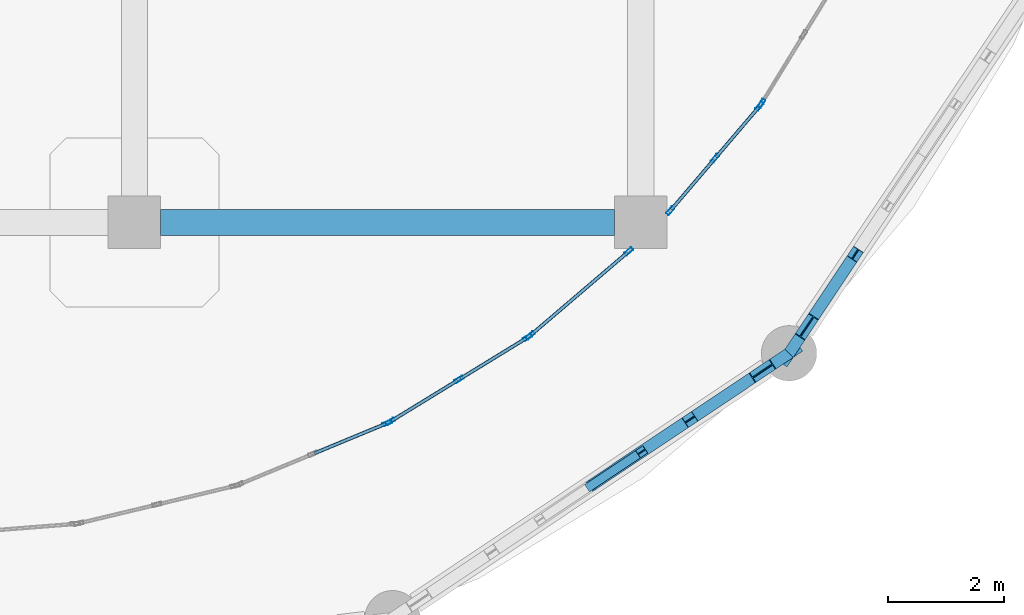
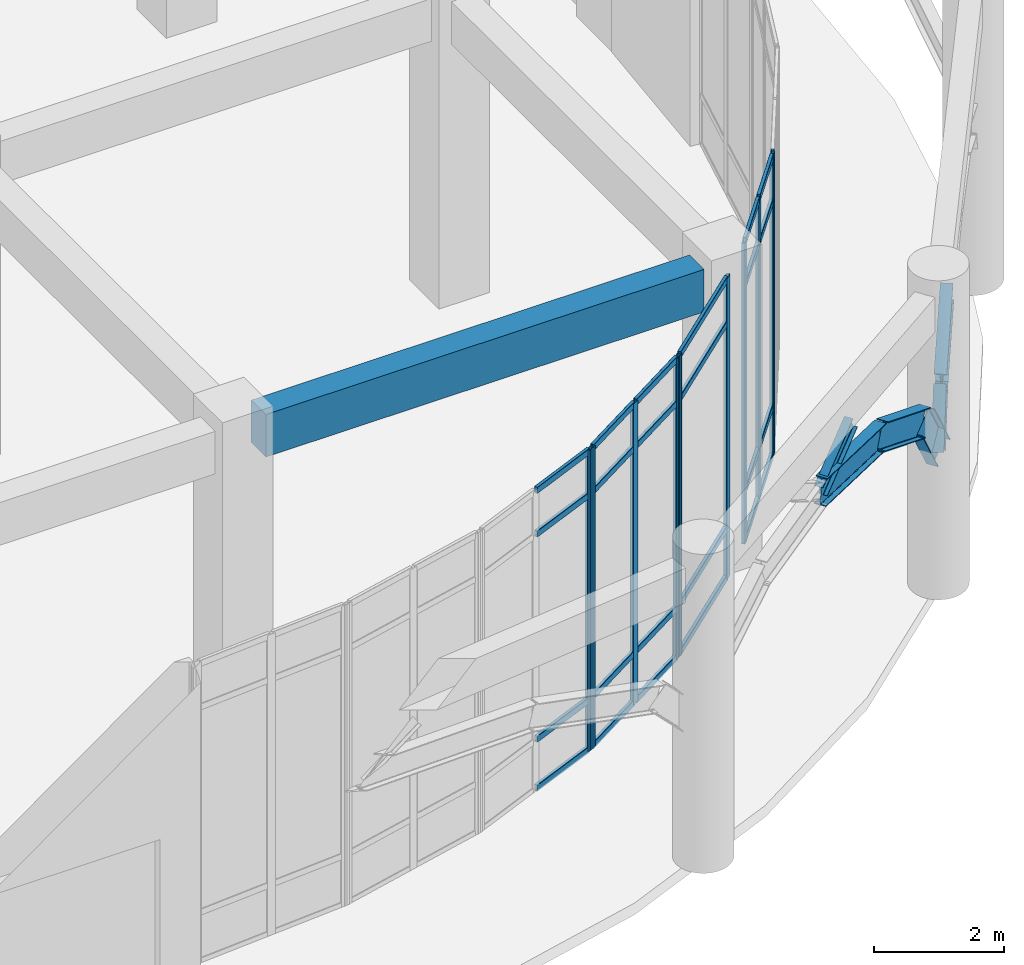
# One storey, part 29 of 82: 35 members, 6 beams, 5 elements without a shape of their own.
"""IFC4 building model written with IfcOpenShell, lengths in metres."""

from ifc_helpers import new_model, si_unit, derived_unit, direction, frame, origin, origin_2d, place, context, subcontext, project, spatial, rectangle, hollow_rectangle, i_section, extrude, material, layer, layer_set, material_profile, profile_set, type_object, element, aggregate, save


model = new_model("IFC4")

# Units and contexts
model_context = context("Model", 3, precision=1e-05, world=origin(), true_north=direction((0.0, 1.0)))
body_context = subcontext(model_context, "Body", "Model", "MODEL_VIEW")
ifc_project = project(units=[si_unit("LENGTHUNIT", "METRE"), si_unit("AREAUNIT", "SQUARE_METRE"), si_unit("VOLUMEUNIT", "CUBIC_METRE"), si_unit("PLANEANGLEUNIT", "RADIAN"), si_unit("MASSUNIT", "GRAM", prefix="KILO"), derived_unit("THERMALTRANSMITTANCEUNIT", [(si_unit("MASSUNIT", "GRAM", prefix="KILO"), 1), (si_unit("TIMEUNIT", "SECOND"), -3), (si_unit("THERMODYNAMICTEMPERATUREUNIT", "KELVIN"), -1)])], contexts=[model_context])

# Site, building, storey
site_placement = place(None, origin())
site = spatial("IfcSite", under=ifc_project, at=site_placement, CompositionType="ELEMENT")
building_placement = place(site_placement, origin())
building = spatial("IfcBuilding", under=site, at=building_placement, Name="Qinzheling Arcade Emporium", CompositionType="ELEMENT")
storey_placement = place(building_placement, origin())
storey = spatial("IfcBuildingStorey", under=building, at=storey_placement, Name="L01", CompositionType="ELEMENT", Elevation=0.0)

# Beams
ifc_material_1 = material(Name="Weathering steel Q355NH", Category="steel")
ifc_material_profile_1 = material_profile(ifc_material_1, i_section(OverallWidth=0.199951171875, OverallDepth=0.5, WebThickness=0.010009765625, FlangeThickness=0.01611328125, FilletRadius=0.01806640625, at=origin_2d()), Name="HN 500x200x10x16", Category="steel")
ifc_profile_set_1 = profile_set([ifc_material_profile_1], Name="Weathering steel Q355NH")
beam_type_1 = type_object("IfcBeamType", Name="Arcade End Arch Rib HN500 Q355NH", PredefinedType="BEAM", material=ifc_profile_set_1)
beam_1_placement = place(storey_placement, frame((164.44189453125, 3.875, 4.284912109375), z_axis=(0.825753197456, 0.55140911939, -0.118657658603), x_axis=(-0.555332418252, 0.831628465866, 0.0)))
element("IfcBeam", 1, at=beam_1_placement, inside=storey, type_object=beam_type_1, Name="Curved Arcade Entrance Arch ARC-L01-CV4-B02-C04", PredefinedType="BEAM", context=body_context, shape_type="SweptSolid", body=[
    extrude(i_section(OverallWidth=0.199951171875, OverallDepth=0.5, WebThickness=0.010009765625, FlangeThickness=0.01611328125, FilletRadius=0.01806640625, at=origin_2d()), origin(), (0.0, 0.0, 1.0), 2.063720703125),
])
beam_2_placement = place(storey_placement, frame((166.14599609375, 5.012939453125, 4.0400390625), z_axis=(0.759608668611, 0.507397176449, -0.406869482639), x_axis=(-0.555451324547, 0.831549052106, 0.0)))
element("IfcBeam", 2, at=beam_2_placement, inside=storey, type_object=beam_type_1, Name="Curved Arcade Entrance Arch ARC-L01-CV4-B02-C05", PredefinedType="BEAM", context=body_context, shape_type="SweptSolid", body=[
    extrude(i_section(OverallWidth=0.199951171875, OverallDepth=0.5, WebThickness=0.010009765625, FlangeThickness=0.01611328125, FilletRadius=0.01806640625, at=origin_2d()), origin(), (0.0, 0.0, 1.0), 1.641845703125),
])
for number, where, z_axis, x_axis, name in (
    (3, (167.39306640625, 5.845947265625, 3.3720703125), (0.428468305687, 0.286486570558, -0.856936611373), (-0.555829349854, 0.831296417556, 0.0), "Curved Arcade Entrance Arch ARC-L01-CV4-B02-C06"),
    (4, (167.84912109375, 6.15087890625, 2.4599609375), (0.286486570558, 0.428468305687, 0.856936611373), (-0.831296417556, 0.555829349854, 0.0), "Curved Arcade Entrance Arch ARC-L01-CV4-B03-C01"),
):
    element("IfcBeam", number, at=place(storey_placement, frame(where, z_axis=z_axis, x_axis=x_axis)), inside=storey, type_object=beam_type_1, Name=name, PredefinedType="BEAM", context=body_context, shape_type="SweptSolid", body=[
        extrude(i_section(OverallWidth=0.199951171875, OverallDepth=0.5, WebThickness=0.010009765625, FlangeThickness=0.01611328125, FilletRadius=0.01806640625, at=origin_2d()), origin(), (0.0, 0.0, 1.0), 1.064453125),
    ])
beam_3_placement = place(storey_placement, frame((168.154052734375, 6.60693359375, 3.3720703125), z_axis=(0.507397176449, 0.759608668611, 0.406869482639), x_axis=(-0.831549052106, 0.555451324547, 0.0)))
element("IfcBeam", 5, at=beam_3_placement, inside=storey, type_object=beam_type_1, Name="Curved Arcade Entrance Arch ARC-L01-CV4-B03-C02", PredefinedType="BEAM", context=body_context, shape_type="SweptSolid", body=[
    extrude(i_section(OverallWidth=0.199951171875, OverallDepth=0.5, WebThickness=0.010009765625, FlangeThickness=0.01611328125, FilletRadius=0.01806640625, at=origin_2d()), origin(), (0.0, 0.0, 1.0), 1.641845703125),
])

# Member
ifc_material_profile_2 = material_profile(ifc_material_1, i_section(OverallWidth=0.14990234375, OverallDepth=0.300048828125, WebThickness=0.006591796875, FlangeThickness=0.009033203125, FilletRadius=0.012939453125, at=origin_2d()), Name="HN 300x150x6.5x9", Category="steel")
ifc_profile_set_2 = profile_set([ifc_material_profile_2], Name="Weathering steel Q355NH")
member_type_1 = type_object("IfcMemberType", Name="Arcade Spandrel Web Chord HN300 Q355NH", PredefinedType="CHORD", material=ifc_profile_set_2)
member_1_placement = place(storey_placement, frame((164.44189453125, 3.875, 4.294921875), z_axis=(0.710426151393, 0.473882025007, 0.520317700825), x_axis=(-0.554914679021, 0.83190726587, 0.0)))
element("IfcMember", 6, at=member_1_placement, inside=storey, type_object=member_type_1, Name="Arcade Spandrel Web Chord ASW-L01-CV4-B02-W2", PredefinedType="CHORD", context=body_context, shape_type="SweptSolid", body=[
    extrude(i_section(OverallWidth=0.14990234375, OverallDepth=0.300048828125, WebThickness=0.006591796875, FlangeThickness=0.009033203125, FilletRadius=0.012939453125, at=origin_2d()), origin(), (0.0, 0.0, 1.0), 1.230224609375),
])

# Curtain wall, member
ifc_material_2 = material(Name="Anodised aluminium and solar-control double glazing", Category="aluminium")
ifc_layer = layer(ifc_material_2, 0.159912109375, Name="Anodised aluminium and solar-control double glazing", Category="aluminium")
ifc_layer_set = layer_set([ifc_layer], Name="Anodised aluminium and solar-control double glazing")
curtain_wall_type = type_object("IfcCurtainWallType", Name="Curved Ribbon Sales Curtain Wall", PredefinedType="NOTDEFINED", material=ifc_layer_set)
curtain_wall_1_placement = place(storey_placement, origin())
curtain_wall_1 = element("IfcCurtainWall", 7, at=curtain_wall_1_placement, inside=storey, type_object=curtain_wall_type, Name="Curtain Wall CW-L01-003", PredefinedType="NOTDEFINED")
ifc_material_3 = material(Name="Anodised aluminium 6063-T6", Category="aluminium")
ifc_material_profile_3 = material_profile(ifc_material_3, hollow_rectangle(XDim=0.06005859375, YDim=0.159912109375, WallThickness=0.00390625, InnerFilletRadius=0.00390625, OuterFilletRadius=0.008056640625, at=origin_2d()), Name="RHS 160x60x4", Category="aluminium")
ifc_profile_set_3 = profile_set([ifc_material_profile_3], Name="Anodised aluminium 6063-T6")
member_type_2 = type_object("IfcMemberType", Name="Curtain Wall Mullion RHS160x60", PredefinedType="MULLION", material=ifc_profile_set_3)
member_2_placement = place(storey_placement, frame((167.377685546875, 10.445556640625, 0.0), z_axis=(0.0, 0.0, 1.0), x_axis=(0.852580897222, -0.522595267575, 0.0)))
member_2 = element("IfcMember", 8, at=member_2_placement, type_object=member_type_2, Name="CW02 mullion 3", PredefinedType="MULLION", context=body_context, shape_type="SweptSolid", body=[
    extrude(hollow_rectangle(XDim=0.06005859375, YDim=0.159912109375, WallThickness=0.00390625, InnerFilletRadius=0.00390625, OuterFilletRadius=0.008056640625, at=origin_2d()), origin(), (0.0, 0.0, 1.0), 5.659912109375),
])
aggregate(curtain_wall_1, [member_2])

# Curtain wall, members
curtain_wall_2_placement = place(storey_placement, origin())
curtain_wall_2 = element("IfcCurtainWall", 9, at=curtain_wall_2_placement, inside=storey, type_object=curtain_wall_type, Name="Curtain Wall CW-L01-004", PredefinedType="NOTDEFINED")
member_3_placement = place(storey_placement, frame((167.342529296875, 10.397216796875, 0.0), z_axis=(0.0, 0.0, 1.0), x_axis=(0.760624147347, -0.649192503401, 0.0)))
member_3 = element("IfcMember", 10, at=member_3_placement, type_object=member_type_2, Name="CW02 mullion 1", PredefinedType="MULLION", context=body_context, shape_type="SweptSolid", body=[
    extrude(hollow_rectangle(XDim=0.06005859375, YDim=0.159912109375, WallThickness=0.00390625, InnerFilletRadius=0.00390625, OuterFilletRadius=0.008056640625, at=origin_2d()), origin(), (0.0, 0.0, 1.0), 5.659912109375),
])
member_4_placement = place(storey_placement, frame((166.575439453125, 9.49853515625, 0.0), z_axis=(0.0, 0.0, 1.0), x_axis=(0.760624147347, -0.649192503401, 0.0)))
member_4 = element("IfcMember", 11, at=member_4_placement, type_object=member_type_2, Name="CW02 mullion 2", PredefinedType="MULLION", context=body_context, shape_type="SweptSolid", body=[
    extrude(hollow_rectangle(XDim=0.06005859375, YDim=0.159912109375, WallThickness=0.00390625, InnerFilletRadius=0.00390625, OuterFilletRadius=0.008056640625, at=origin_2d()), origin(), (0.0, 0.0, 1.0), 5.659912109375),
])
member_5_placement = place(storey_placement, frame((165.80859375, 8.599853515625, 0.0), z_axis=(0.0, 0.0, 1.0), x_axis=(0.760624147347, -0.649192503401, 0.0)))
member_5 = element("IfcMember", 12, at=member_5_placement, type_object=member_type_2, Name="CW02 mullion 3", PredefinedType="MULLION", context=body_context, shape_type="SweptSolid", body=[
    extrude(hollow_rectangle(XDim=0.06005859375, YDim=0.159912109375, WallThickness=0.00390625, InnerFilletRadius=0.00390625, OuterFilletRadius=0.008056640625, at=origin_2d()), origin(), (0.0, 0.0, 1.0), 5.659912109375),
])

curtain_wall_3_placement = place(storey_placement, origin())
curtain_wall_3 = element("IfcCurtainWall", 13, at=curtain_wall_3_placement, inside=storey, type_object=curtain_wall_type, Name="Curtain Wall CW-L01-005", PredefinedType="NOTDEFINED")
member_6_placement = place(storey_placement, frame((165.09326171875, 7.900634765625, 0.0), z_axis=(0.0, 0.0, 1.0), x_axis=(0.649274742117, -0.760553948941, 0.0)))
member_6 = element("IfcMember", 14, at=member_6_placement, type_object=member_type_2, Name="CW02 mullion 1", PredefinedType="MULLION", context=body_context, shape_type="SweptSolid", body=[
    extrude(hollow_rectangle(XDim=0.06005859375, YDim=0.159912109375, WallThickness=0.00390625, InnerFilletRadius=0.00390625, OuterFilletRadius=0.008056640625, at=origin_2d()), origin(), (0.0, 0.0, 1.0), 5.659912109375),
])
member_7_placement = place(storey_placement, frame((163.40283203125, 6.45751953125, 0.0), z_axis=(0.0, 0.0, 1.0), x_axis=(0.649274742117, -0.760553948941, 0.0)))
member_7 = element("IfcMember", 15, at=member_7_placement, type_object=member_type_2, Name="CW02 mullion 2", PredefinedType="MULLION", context=body_context, shape_type="SweptSolid", body=[
    extrude(hollow_rectangle(XDim=0.06005859375, YDim=0.159912109375, WallThickness=0.00390625, InnerFilletRadius=0.00390625, OuterFilletRadius=0.008056640625, at=origin_2d()), origin(), (0.0, 0.0, 1.0), 5.659912109375),
])

curtain_wall_4_placement = place(storey_placement, origin())
curtain_wall_4 = element("IfcCurtainWall", 16, at=curtain_wall_4_placement, inside=storey, type_object=curtain_wall_type, Name="Curtain Wall CW-L01-006", PredefinedType="NOTDEFINED")
member_8_placement = place(storey_placement, frame((163.3544921875, 6.42236328125, 0.0), z_axis=(0.0, 0.0, 1.0), x_axis=(0.522595267575, -0.852580897222, 0.0)))
member_8 = element("IfcMember", 17, at=member_8_placement, type_object=member_type_2, Name="CW02 mullion 1", PredefinedType="MULLION", context=body_context, shape_type="SweptSolid", body=[
    extrude(hollow_rectangle(XDim=0.06005859375, YDim=0.159912109375, WallThickness=0.00390625, InnerFilletRadius=0.00390625, OuterFilletRadius=0.008056640625, at=origin_2d()), origin(), (0.0, 0.0, 1.0), 5.659912109375),
])
member_9_placement = place(storey_placement, frame((162.176025390625, 5.699951171875, 0.0), z_axis=(0.0, 0.0, 1.0), x_axis=(0.522595267575, -0.852580897222, 0.0)))
member_9 = element("IfcMember", 18, at=member_9_placement, type_object=member_type_2, Name="CW02 mullion 2", PredefinedType="MULLION", context=body_context, shape_type="SweptSolid", body=[
    extrude(hollow_rectangle(XDim=0.06005859375, YDim=0.159912109375, WallThickness=0.00390625, InnerFilletRadius=0.00390625, OuterFilletRadius=0.008056640625, at=origin_2d()), origin(), (0.0, 0.0, 1.0), 5.659912109375),
])
member_10_placement = place(storey_placement, frame((160.99755859375, 4.977783203125, 0.0), z_axis=(0.0, 0.0, 1.0), x_axis=(0.522595267575, -0.852580897222, 0.0)))
member_10 = element("IfcMember", 19, at=member_10_placement, type_object=member_type_2, Name="CW02 mullion 3", PredefinedType="MULLION", context=body_context, shape_type="SweptSolid", body=[
    extrude(hollow_rectangle(XDim=0.06005859375, YDim=0.159912109375, WallThickness=0.00390625, InnerFilletRadius=0.00390625, OuterFilletRadius=0.008056640625, at=origin_2d()), origin(), (0.0, 0.0, 1.0), 5.659912109375),
])

# Curtain wall, member
curtain_wall_5_placement = place(storey_placement, origin())
curtain_wall_5 = element("IfcCurtainWall", 20, at=curtain_wall_5_placement, inside=storey, type_object=curtain_wall_type, Name="Curtain Wall CW-L01-007", PredefinedType="NOTDEFINED")
member_11_placement = place(storey_placement, frame((160.9443359375, 4.950439453125, 0.0), z_axis=(0.0, 0.0, 1.0), x_axis=(0.382654004198, -0.923891721508, 0.0)))
member_11 = element("IfcMember", 21, at=member_11_placement, type_object=member_type_2, Name="CW02 mullion 1", PredefinedType="MULLION", context=body_context, shape_type="SweptSolid", body=[
    extrude(hollow_rectangle(XDim=0.06005859375, YDim=0.159912109375, WallThickness=0.00390625, InnerFilletRadius=0.00390625, OuterFilletRadius=0.008056640625, at=origin_2d()), origin(), (0.0, 0.0, 1.0), 5.659912109375),
])

# Member
ifc_material_profile_4 = material_profile(ifc_material_3, hollow_rectangle(XDim=0.06005859375, YDim=0.1201171875, WallThickness=0.00390625, InnerFilletRadius=0.00390625, OuterFilletRadius=0.008056640625, at=origin_2d()), Name="RHS 120x60x4", Category="aluminium")
ifc_profile_set_4 = profile_set([ifc_material_profile_4], Name="Anodised aluminium 6063-T6")
member_type_3 = type_object("IfcMemberType", Name="Curtain Wall Transom RHS120x60", PredefinedType="USERDEFINED", material=ifc_profile_set_4)
member_12_placement = place(storey_placement, frame((167.322998046875, 10.374267578125, 0.030029296875), z_axis=(-0.649176375205, -0.760637912463, 0.0), x_axis=(0.760637912463, -0.649176375205, 0.0)))
member_12 = element("IfcMember", 22, at=member_12_placement, type_object=member_type_3, Name="CW02 transom 1.1", ObjectType="TRANSOM", PredefinedType="USERDEFINED", context=body_context, shape_type="SweptSolid", body=[
    extrude(hollow_rectangle(XDim=0.06005859375, YDim=0.1201171875, WallThickness=0.00390625, InnerFilletRadius=0.00390625, OuterFilletRadius=0.008056640625, at=origin_2d()), origin(), (0.0, 0.0, 1.0), 1.12158203125),
])

member_13_placement = place(storey_placement, frame((167.322998046875, 10.374267578125, 0.949951171875), z_axis=(-0.649176375205, -0.760637912463, 0.0), x_axis=(0.760637912463, -0.649176375205, 0.0)))
member_13 = element("IfcMember", 23, at=member_13_placement, type_object=member_type_3, Name="CW02 transom 1.2", ObjectType="TRANSOM", PredefinedType="USERDEFINED", context=body_context, shape_type="SweptSolid", body=[
    extrude(hollow_rectangle(XDim=0.06005859375, YDim=0.1201171875, WallThickness=0.00390625, InnerFilletRadius=0.00390625, OuterFilletRadius=0.008056640625, at=origin_2d()), origin(), (0.0, 0.0, 1.0), 1.12158203125),
])

member_14_placement = place(storey_placement, frame((167.322998046875, 10.374267578125, 4.81005859375), z_axis=(-0.649176375205, -0.760637912463, 0.0), x_axis=(0.760637912463, -0.649176375205, 0.0)))
member_14 = element("IfcMember", 24, at=member_14_placement, type_object=member_type_3, Name="CW02 transom 1.3", ObjectType="TRANSOM", PredefinedType="USERDEFINED", context=body_context, shape_type="SweptSolid", body=[
    extrude(hollow_rectangle(XDim=0.06005859375, YDim=0.1201171875, WallThickness=0.00390625, InnerFilletRadius=0.00390625, OuterFilletRadius=0.008056640625, at=origin_2d()), origin(), (0.0, 0.0, 1.0), 1.12158203125),
])

member_15_placement = place(storey_placement, frame((167.322998046875, 10.374267578125, 5.6298828125), z_axis=(-0.649176375205, -0.760637912463, 0.0), x_axis=(0.760637912463, -0.649176375205, 0.0)))
member_15 = element("IfcMember", 25, at=member_15_placement, type_object=member_type_3, Name="CW02 transom 1.4", ObjectType="TRANSOM", PredefinedType="USERDEFINED", context=body_context, shape_type="SweptSolid", body=[
    extrude(hollow_rectangle(XDim=0.06005859375, YDim=0.1201171875, WallThickness=0.00390625, InnerFilletRadius=0.00390625, OuterFilletRadius=0.008056640625, at=origin_2d()), origin(), (0.0, 0.0, 1.0), 1.12158203125),
])

member_16_placement = place(storey_placement, frame((166.555908203125, 9.4755859375, 0.030029296875), z_axis=(-0.649176375205, -0.760637912463, 0.0), x_axis=(0.760637912463, -0.649176375205, 0.0)))
member_16 = element("IfcMember", 26, at=member_16_placement, type_object=member_type_3, Name="CW02 transom 2.1", ObjectType="TRANSOM", PredefinedType="USERDEFINED", context=body_context, shape_type="SweptSolid", body=[
    extrude(hollow_rectangle(XDim=0.06005859375, YDim=0.1201171875, WallThickness=0.00390625, InnerFilletRadius=0.00390625, OuterFilletRadius=0.008056640625, at=origin_2d()), origin(), (0.0, 0.0, 1.0), 1.12158203125),
])

member_17_placement = place(storey_placement, frame((166.555908203125, 9.4755859375, 0.949951171875), z_axis=(-0.649176375205, -0.760637912463, 0.0), x_axis=(0.760637912463, -0.649176375205, 0.0)))
member_17 = element("IfcMember", 27, at=member_17_placement, type_object=member_type_3, Name="CW02 transom 2.2", ObjectType="TRANSOM", PredefinedType="USERDEFINED", context=body_context, shape_type="SweptSolid", body=[
    extrude(hollow_rectangle(XDim=0.06005859375, YDim=0.1201171875, WallThickness=0.00390625, InnerFilletRadius=0.00390625, OuterFilletRadius=0.008056640625, at=origin_2d()), origin(), (0.0, 0.0, 1.0), 1.12158203125),
])

member_18_placement = place(storey_placement, frame((166.555908203125, 9.4755859375, 4.81005859375), z_axis=(-0.649176375205, -0.760637912463, 0.0), x_axis=(0.760637912463, -0.649176375205, 0.0)))
member_18 = element("IfcMember", 28, at=member_18_placement, type_object=member_type_3, Name="CW02 transom 2.3", ObjectType="TRANSOM", PredefinedType="USERDEFINED", context=body_context, shape_type="SweptSolid", body=[
    extrude(hollow_rectangle(XDim=0.06005859375, YDim=0.1201171875, WallThickness=0.00390625, InnerFilletRadius=0.00390625, OuterFilletRadius=0.008056640625, at=origin_2d()), origin(), (0.0, 0.0, 1.0), 1.12158203125),
])

member_19_placement = place(storey_placement, frame((166.555908203125, 9.4755859375, 5.6298828125), z_axis=(-0.649176375205, -0.760637912463, 0.0), x_axis=(0.760637912463, -0.649176375205, 0.0)))
member_19 = element("IfcMember", 29, at=member_19_placement, type_object=member_type_3, Name="CW02 transom 2.4", ObjectType="TRANSOM", PredefinedType="USERDEFINED", context=body_context, shape_type="SweptSolid", body=[
    extrude(hollow_rectangle(XDim=0.06005859375, YDim=0.1201171875, WallThickness=0.00390625, InnerFilletRadius=0.00390625, OuterFilletRadius=0.008056640625, at=origin_2d()), origin(), (0.0, 0.0, 1.0), 1.12158203125),
])

aggregate(curtain_wall_2, [member_3, member_4, member_5, member_12, member_13, member_14, member_15, member_16, member_17, member_18, member_19])

member_20_placement = place(storey_placement, frame((165.0703125, 7.881103515625, 0.030029296875), z_axis=(-0.760569941, -0.649256008711, 0.0), x_axis=(0.649256008711, -0.760569941, 0.0)))
member_20 = element("IfcMember", 30, at=member_20_placement, type_object=member_type_3, Name="CW02 transom 1.1", ObjectType="TRANSOM", PredefinedType="USERDEFINED", context=body_context, shape_type="SweptSolid", body=[
    extrude(hollow_rectangle(XDim=0.06005859375, YDim=0.1201171875, WallThickness=0.00390625, InnerFilletRadius=0.00390625, OuterFilletRadius=0.008056640625, at=origin_2d()), origin(), (0.0, 0.0, 1.0), 2.16259765625),
])

member_21_placement = place(storey_placement, frame((165.0703125, 7.881103515625, 0.949951171875), z_axis=(-0.760569941, -0.649256008711, 0.0), x_axis=(0.649256008711, -0.760569941, 0.0)))
member_21 = element("IfcMember", 31, at=member_21_placement, type_object=member_type_3, Name="CW02 transom 1.2", ObjectType="TRANSOM", PredefinedType="USERDEFINED", context=body_context, shape_type="SweptSolid", body=[
    extrude(hollow_rectangle(XDim=0.06005859375, YDim=0.1201171875, WallThickness=0.00390625, InnerFilletRadius=0.00390625, OuterFilletRadius=0.008056640625, at=origin_2d()), origin(), (0.0, 0.0, 1.0), 2.16259765625),
])

member_22_placement = place(storey_placement, frame((165.0703125, 7.881103515625, 4.81005859375), z_axis=(-0.760569941, -0.649256008711, 0.0), x_axis=(0.649256008711, -0.760569941, 0.0)))
member_22 = element("IfcMember", 32, at=member_22_placement, type_object=member_type_3, Name="CW02 transom 1.3", ObjectType="TRANSOM", PredefinedType="USERDEFINED", context=body_context, shape_type="SweptSolid", body=[
    extrude(hollow_rectangle(XDim=0.06005859375, YDim=0.1201171875, WallThickness=0.00390625, InnerFilletRadius=0.00390625, OuterFilletRadius=0.008056640625, at=origin_2d()), origin(), (0.0, 0.0, 1.0), 2.16259765625),
])

member_23_placement = place(storey_placement, frame((165.0703125, 7.881103515625, 5.6298828125), z_axis=(-0.760569941, -0.649256008711, 0.0), x_axis=(0.649256008711, -0.760569941, 0.0)))
member_23 = element("IfcMember", 33, at=member_23_placement, type_object=member_type_3, Name="CW02 transom 1.4", ObjectType="TRANSOM", PredefinedType="USERDEFINED", context=body_context, shape_type="SweptSolid", body=[
    extrude(hollow_rectangle(XDim=0.06005859375, YDim=0.1201171875, WallThickness=0.00390625, InnerFilletRadius=0.00390625, OuterFilletRadius=0.008056640625, at=origin_2d()), origin(), (0.0, 0.0, 1.0), 2.16259765625),
])

aggregate(curtain_wall_3, [member_6, member_7, member_20, member_21, member_22, member_23])

member_24_placement = place(storey_placement, frame((163.328857421875, 6.40673828125, 0.030029296875), z_axis=(-0.852500394766, -0.522726579507, 0.0), x_axis=(0.522726579507, -0.852500394766, 0.0)))
member_24 = element("IfcMember", 34, at=member_24_placement, type_object=member_type_3, Name="CW02 transom 1.1", ObjectType="TRANSOM", PredefinedType="USERDEFINED", context=body_context, shape_type="SweptSolid", body=[
    extrude(hollow_rectangle(XDim=0.06005859375, YDim=0.1201171875, WallThickness=0.00390625, InnerFilletRadius=0.00390625, OuterFilletRadius=0.008056640625, at=origin_2d()), origin(), (0.0, 0.0, 1.0), 1.322265625),
])

member_25_placement = place(storey_placement, frame((163.328857421875, 6.40673828125, 0.949951171875), z_axis=(-0.852500394766, -0.522726579507, 0.0), x_axis=(0.522726579507, -0.852500394766, 0.0)))
member_25 = element("IfcMember", 35, at=member_25_placement, type_object=member_type_3, Name="CW02 transom 1.2", ObjectType="TRANSOM", PredefinedType="USERDEFINED", context=body_context, shape_type="SweptSolid", body=[
    extrude(hollow_rectangle(XDim=0.06005859375, YDim=0.1201171875, WallThickness=0.00390625, InnerFilletRadius=0.00390625, OuterFilletRadius=0.008056640625, at=origin_2d()), origin(), (0.0, 0.0, 1.0), 1.322265625),
])

member_26_placement = place(storey_placement, frame((163.328857421875, 6.40673828125, 4.81005859375), z_axis=(-0.852500394766, -0.522726579507, 0.0), x_axis=(0.522726579507, -0.852500394766, 0.0)))
member_26 = element("IfcMember", 36, at=member_26_placement, type_object=member_type_3, Name="CW02 transom 1.3", ObjectType="TRANSOM", PredefinedType="USERDEFINED", context=body_context, shape_type="SweptSolid", body=[
    extrude(hollow_rectangle(XDim=0.06005859375, YDim=0.1201171875, WallThickness=0.00390625, InnerFilletRadius=0.00390625, OuterFilletRadius=0.008056640625, at=origin_2d()), origin(), (0.0, 0.0, 1.0), 1.322265625),
])

member_27_placement = place(storey_placement, frame((163.328857421875, 6.40673828125, 5.6298828125), z_axis=(-0.852500394766, -0.522726579507, 0.0), x_axis=(0.522726579507, -0.852500394766, 0.0)))
member_27 = element("IfcMember", 37, at=member_27_placement, type_object=member_type_3, Name="CW02 transom 1.4", ObjectType="TRANSOM", PredefinedType="USERDEFINED", context=body_context, shape_type="SweptSolid", body=[
    extrude(hollow_rectangle(XDim=0.06005859375, YDim=0.1201171875, WallThickness=0.00390625, InnerFilletRadius=0.00390625, OuterFilletRadius=0.008056640625, at=origin_2d()), origin(), (0.0, 0.0, 1.0), 1.322265625),
])

member_28_placement = place(storey_placement, frame((162.150390625, 5.684326171875, 0.030029296875), z_axis=(-0.852582673964, -0.522592368923, 0.0), x_axis=(0.522592368923, -0.852582673964, 0.0)))
member_28 = element("IfcMember", 38, at=member_28_placement, type_object=member_type_3, Name="CW02 transom 2.1", ObjectType="TRANSOM", PredefinedType="USERDEFINED", context=body_context, shape_type="SweptSolid", body=[
    extrude(hollow_rectangle(XDim=0.06005859375, YDim=0.1201171875, WallThickness=0.00390625, InnerFilletRadius=0.00390625, OuterFilletRadius=0.008056640625, at=origin_2d()), origin(), (0.0, 0.0, 1.0), 1.322021484375),
])

member_29_placement = place(storey_placement, frame((162.150390625, 5.684326171875, 0.949951171875), z_axis=(-0.852582673964, -0.522592368923, 0.0), x_axis=(0.522592368923, -0.852582673964, 0.0)))
member_29 = element("IfcMember", 39, at=member_29_placement, type_object=member_type_3, Name="CW02 transom 2.2", ObjectType="TRANSOM", PredefinedType="USERDEFINED", context=body_context, shape_type="SweptSolid", body=[
    extrude(hollow_rectangle(XDim=0.06005859375, YDim=0.1201171875, WallThickness=0.00390625, InnerFilletRadius=0.00390625, OuterFilletRadius=0.008056640625, at=origin_2d()), origin(), (0.0, 0.0, 1.0), 1.322021484375),
])

member_30_placement = place(storey_placement, frame((162.150390625, 5.684326171875, 4.81005859375), z_axis=(-0.852582673964, -0.522592368923, 0.0), x_axis=(0.522592368923, -0.852582673964, 0.0)))
member_30 = element("IfcMember", 40, at=member_30_placement, type_object=member_type_3, Name="CW02 transom 2.3", ObjectType="TRANSOM", PredefinedType="USERDEFINED", context=body_context, shape_type="SweptSolid", body=[
    extrude(hollow_rectangle(XDim=0.06005859375, YDim=0.1201171875, WallThickness=0.00390625, InnerFilletRadius=0.00390625, OuterFilletRadius=0.008056640625, at=origin_2d()), origin(), (0.0, 0.0, 1.0), 1.322021484375),
])

member_31_placement = place(storey_placement, frame((162.150390625, 5.684326171875, 5.6298828125), z_axis=(-0.852582673964, -0.522592368923, 0.0), x_axis=(0.522592368923, -0.852582673964, 0.0)))
member_31 = element("IfcMember", 41, at=member_31_placement, type_object=member_type_3, Name="CW02 transom 2.4", ObjectType="TRANSOM", PredefinedType="USERDEFINED", context=body_context, shape_type="SweptSolid", body=[
    extrude(hollow_rectangle(XDim=0.06005859375, YDim=0.1201171875, WallThickness=0.00390625, InnerFilletRadius=0.00390625, OuterFilletRadius=0.008056640625, at=origin_2d()), origin(), (0.0, 0.0, 1.0), 1.322021484375),
])

aggregate(curtain_wall_4, [member_8, member_9, member_10, member_24, member_25, member_26, member_27, member_28, member_29, member_30, member_31])

member_32_placement = place(storey_placement, frame((160.91650390625, 4.93896484375, 0.030029296875), z_axis=(-0.923861559167, -0.382726820974, 0.0), x_axis=(0.382726820974, -0.923861559167, 0.0)))
member_32 = element("IfcMember", 42, at=member_32_placement, type_object=member_type_3, Name="CW02 transom 1.1", ObjectType="TRANSOM", PredefinedType="USERDEFINED", context=body_context, shape_type="SweptSolid", body=[
    extrude(hollow_rectangle(XDim=0.06005859375, YDim=0.1201171875, WallThickness=0.00390625, InnerFilletRadius=0.00390625, OuterFilletRadius=0.008056640625, at=origin_2d()), origin(), (0.0, 0.0, 1.0), 1.322265625),
])

member_33_placement = place(storey_placement, frame((160.91650390625, 4.93896484375, 0.949951171875), z_axis=(-0.923861559167, -0.382726820974, 0.0), x_axis=(0.382726820974, -0.923861559167, 0.0)))
member_33 = element("IfcMember", 43, at=member_33_placement, type_object=member_type_3, Name="CW02 transom 1.2", ObjectType="TRANSOM", PredefinedType="USERDEFINED", context=body_context, shape_type="SweptSolid", body=[
    extrude(hollow_rectangle(XDim=0.06005859375, YDim=0.1201171875, WallThickness=0.00390625, InnerFilletRadius=0.00390625, OuterFilletRadius=0.008056640625, at=origin_2d()), origin(), (0.0, 0.0, 1.0), 1.322265625),
])

member_34_placement = place(storey_placement, frame((160.91650390625, 4.93896484375, 4.81005859375), z_axis=(-0.923861559167, -0.382726820974, 0.0), x_axis=(0.382726820974, -0.923861559167, 0.0)))
member_34 = element("IfcMember", 44, at=member_34_placement, type_object=member_type_3, Name="CW02 transom 1.3", ObjectType="TRANSOM", PredefinedType="USERDEFINED", context=body_context, shape_type="SweptSolid", body=[
    extrude(hollow_rectangle(XDim=0.06005859375, YDim=0.1201171875, WallThickness=0.00390625, InnerFilletRadius=0.00390625, OuterFilletRadius=0.008056640625, at=origin_2d()), origin(), (0.0, 0.0, 1.0), 1.322265625),
])

member_35_placement = place(storey_placement, frame((160.91650390625, 4.93896484375, 5.6298828125), z_axis=(-0.923861559167, -0.382726820974, 0.0), x_axis=(0.382726820974, -0.923861559167, 0.0)))
member_35 = element("IfcMember", 45, at=member_35_placement, type_object=member_type_3, Name="CW02 transom 1.4", ObjectType="TRANSOM", PredefinedType="USERDEFINED", context=body_context, shape_type="SweptSolid", body=[
    extrude(hollow_rectangle(XDim=0.06005859375, YDim=0.1201171875, WallThickness=0.00390625, InnerFilletRadius=0.00390625, OuterFilletRadius=0.008056640625, at=origin_2d()), origin(), (0.0, 0.0, 1.0), 1.322265625),
])

aggregate(curtain_wall_5, [member_11, member_32, member_33, member_34, member_35])

# Beam
ifc_material_4 = material(Name="Concrete C40", Category="concrete")
ifc_material_profile_5 = material_profile(ifc_material_4, rectangle(XDim=0.449951171875, YDim=0.800048828125, at=origin_2d()), Name="RC 450x800", Category="concrete")
ifc_profile_set_5 = profile_set([ifc_material_profile_5], Name="Concrete C40")
beam_type_2 = type_object("IfcBeamType", Name="RC Primary Frame Beam 450x800 C40", PredefinedType="BEAM", material=ifc_profile_set_5)
beam_4_placement = place(storey_placement, frame((157.050048828125, 8.39990234375, 5.304931640625), z_axis=(1.0, 0.0, 0.0), x_axis=(0.0, 1.0, 0.0)))
element("IfcBeam", 46, at=beam_4_placement, inside=storey, type_object=beam_type_2, Name="Beam BM-L01-X-B-19", PredefinedType="BEAM", context=body_context, shape_type="SweptSolid", body=[
    extrude(rectangle(XDim=0.449951171875, YDim=0.800048828125, at=origin_2d()), origin(), (0.0, 0.0, 1.0), 7.800048828125),
])

save(model, "model.ifc")
